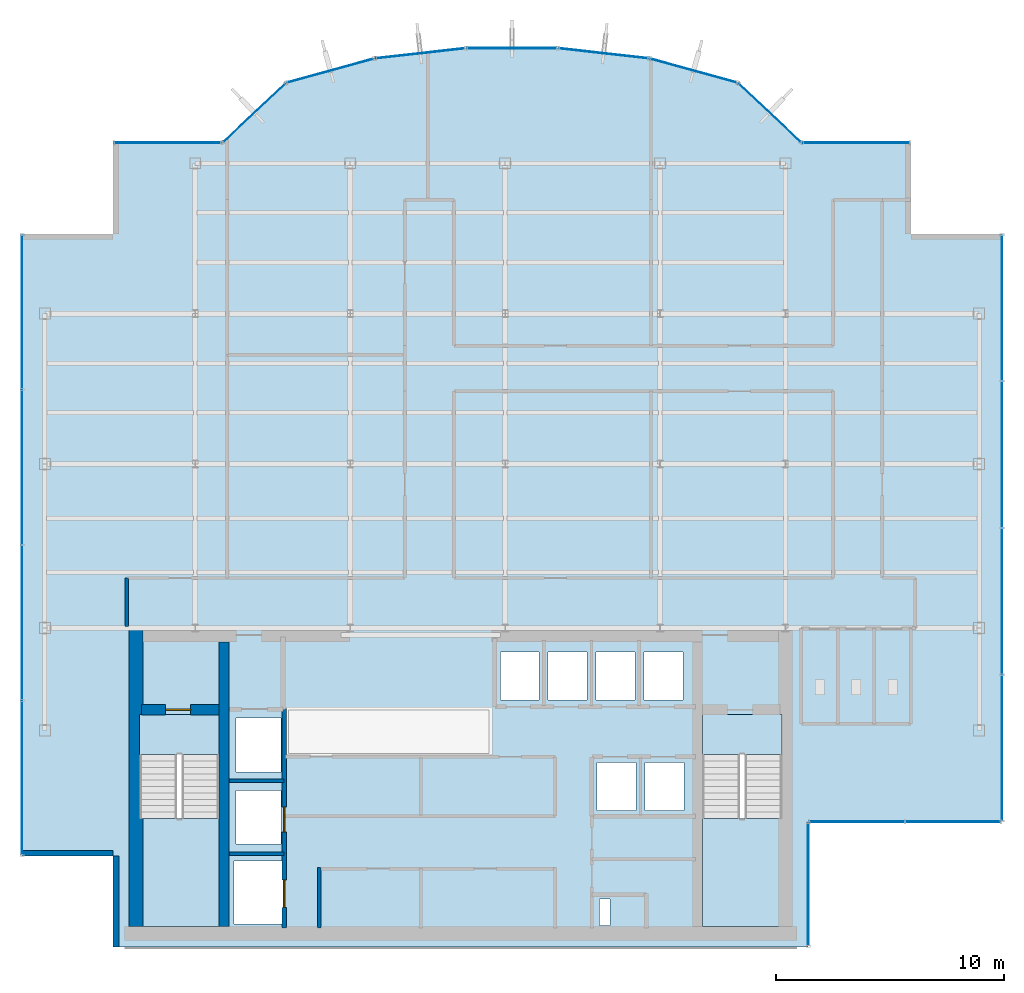
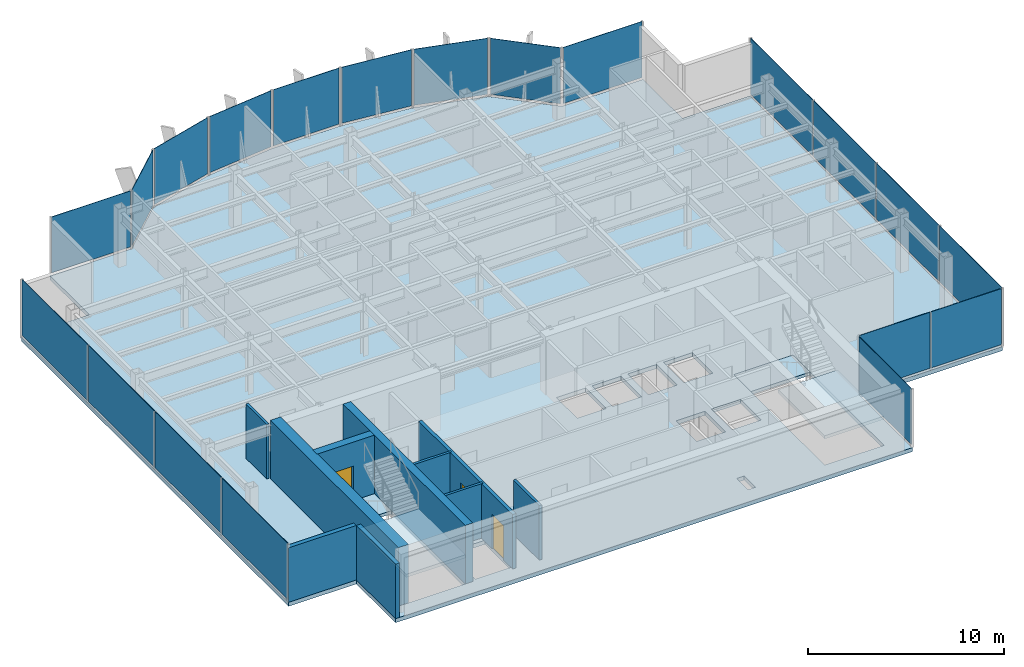
# One storey, part 16 of 22: 20 plates, 10 walls, 5 slabs, 3 doors, 3 openings, 15 elements without a shape of their own.
"""IFC4 building model written with IfcOpenShell, lengths in metres."""

from ifc_helpers import new_model, si_unit, derived_unit, direction, frame, frame_2d, origin, origin_2d, place, context, subcontext, project, spatial, polyline, rectangle, outline, extrude, source, transform, mapped, material, layer, layer_set, type_object, element, fill, aggregate, save


model = new_model("IFC4")

# Units and contexts
model_context = context("Model", 3, precision=1e-05, world=origin(), true_north=direction((0.0, 1.0)))
body_context = subcontext(model_context, "Body", "Model", "MODEL_VIEW")
ifc_project = project(units=[si_unit("LENGTHUNIT", "METRE"), si_unit("AREAUNIT", "SQUARE_METRE"), si_unit("VOLUMEUNIT", "CUBIC_METRE"), si_unit("PLANEANGLEUNIT", "RADIAN"), si_unit("MASSUNIT", "GRAM", prefix="KILO"), derived_unit("THERMALTRANSMITTANCEUNIT", [(si_unit("POWERUNIT", "WATT"), 1), (si_unit("LENGTHUNIT", "METRE"), -2), (si_unit("THERMODYNAMICTEMPERATUREUNIT", "KELVIN"), -1)])], contexts=[model_context])

# Site, building, storey
site_placement = place(None, origin())
site = spatial("IfcSite", under=ifc_project, at=site_placement, CompositionType="ELEMENT")
building_placement = place(site_placement, origin())
building = spatial("IfcBuilding", under=site, at=building_placement, Name="Skarnbrae Concourse Arena and Tower", CompositionType="ELEMENT")
storey_placement = place(building_placement, frame((0.0, 0.0, 280.699951171875)))
storey = spatial("IfcBuildingStorey", under=building, at=storey_placement, Name="L73", CompositionType="ELEMENT", Elevation=280.699951171875)

# Stair, slab
ifc_material_1 = material(Name="Concrete 40 MPa (C40/50)", Category="concrete")
stair_type = type_object("IfcStairType", Name="STAIR-DOGLEG-1650", PredefinedType="HALF_TURN_STAIR", material=ifc_material_1)
stair_1_placement = place(storey_placement, origin())
stair_1 = element("IfcStair", 1, at=stair_1_placement, inside=storey, type_object=stair_type, Name="L73 Protected Exit Stair ST-1", PredefinedType="HALF_TURN_STAIR")
ifc_layer_1 = layer(ifc_material_1, 0.199951171875)
ifc_layer_set_1 = layer_set([ifc_layer_1], Name="Concrete 40 MPa (C40/50)")
slab_type_1 = type_object("IfcSlabType", Name="SLAB-LANDING-200", PredefinedType="LANDING", material=ifc_layer_set_1)
slab_1_placement = place(storey_placement, frame((0.0, 0.0, 1.625)))
slab_1 = element("IfcSlab", 2, at=slab_1_placement, type_object=slab_type_1, Name="ST-1 landing 1", PredefinedType="LANDING", context=body_context, shape_type="SweptSolid", body=[
    extrude(outline(polyline([(5.14990234375, 5.64990234375), (5.14990234375, 0.89990234375), (8.64990234375, 0.89990234375), (8.64990234375, 5.64990234375), (5.14990234375, 5.64990234375)])), origin(), (0.0, 0.0, 1.0), 0.199951171875),
])
aggregate(stair_1, [slab_1])

stair_2_placement = place(storey_placement, origin())
stair_2 = element("IfcStair", 3, at=stair_2_placement, inside=storey, type_object=stair_type, Name="L73 Protected Exit Stair ST-2", PredefinedType="HALF_TURN_STAIR")
slab_2_placement = place(storey_placement, frame((0.0, 0.0, 1.625)))
slab_2 = element("IfcSlab", 4, at=slab_2_placement, type_object=slab_type_1, Name="ST-2 landing 1", PredefinedType="LANDING", context=body_context, shape_type="SweptSolid", body=[
    extrude(outline(polyline([(29.85009765625, 5.64990234375), (29.85009765625, 0.89990234375), (33.35009765625, 0.89990234375), (33.35009765625, 5.64990234375), (29.85009765625, 5.64990234375)])), origin(), (0.0, 0.0, 1.0), 0.199951171875),
])
aggregate(stair_2, [slab_2])

# Slabs
slab_3_placement = place(storey_placement, frame((0.0, 0.0, -0.199951171875)))
element("IfcSlab", 5, at=slab_3_placement, inside=storey, type_object=slab_type_1, Name="L73 Core stair ST1 floor landing", PredefinedType="LANDING", context=body_context, shape_type="SweptSolid", body=[
    extrude(outline(polyline([(5.14990234375, 10.199951171875), (5.14990234375, 8.449951171875), (8.64990234375, 8.449951171875), (8.64990234375, 10.199951171875), (5.14990234375, 10.199951171875)])), origin(), (0.0, 0.0, 1.0), 0.199951171875),
])
slab_4_placement = place(storey_placement, frame((0.0, 0.0, -0.199951171875)))
element("IfcSlab", 6, at=slab_4_placement, inside=storey, type_object=slab_type_1, Name="L73 Core stair ST2 floor landing", PredefinedType="LANDING", context=body_context, shape_type="SweptSolid", body=[
    extrude(outline(polyline([(29.85009765625, 10.199951171875), (29.85009765625, 8.449951171875), (33.35009765625, 8.449951171875), (33.35009765625, 10.199951171875), (29.85009765625, 10.199951171875)])), origin(), (0.0, 0.0, 1.0), 0.199951171875),
])
ifc_layer_2 = layer(ifc_material_1, 0.25)
ifc_layer_set_2 = layer_set([ifc_layer_2], Name="Concrete 40 MPa (C40/50)")
slab_type_2 = type_object("IfcSlabType", Name="SLAB-TOWER-250", PredefinedType="FLOOR", material=ifc_layer_set_2)
slab_5_placement = place(storey_placement, frame((0.0, 0.0, -0.25)))
element("IfcSlab", 7, at=slab_5_placement, inside=storey, type_object=slab_type_2, Name="L73 Structural floor slab", PredefinedType="FLOOR", context=body_context, shape_type="SweptSolid", body=[
    extrude(outline(polyline([(4.0, 0.0), (34.5, 0.0), (34.5, 5.5), (43.0, 5.5), (43.0, 31.300048828125), (39.0, 31.300048828125), (39.0, 35.300048828125), (34.199951171875, 35.300048828125), (31.40966796875, 37.9267578125), (27.52587890625, 38.9970703125), (23.51708984375, 39.44677734375), (19.48291015625, 39.44677734375), (15.47412109375, 38.9970703125), (11.59033203125, 37.9267578125), (8.800048828125, 35.300048828125), (4.0, 35.300048828125), (4.0, 31.300048828125), (0.0, 31.300048828125), (0.0, 4.0), (4.0, 4.0), (4.0, 0.0)]), holes=[polyline([(9.294921875, 1.02001953125), (9.294921875, 3.780029296875), (11.455078125, 3.780029296875), (11.455078125, 1.02001953125), (9.294921875, 1.02001953125)]), polyline([(8.64990234375, 10.199951171875), (8.64990234375, 0.89990234375), (5.14990234375, 0.89990234375), (5.14990234375, 10.199951171875), (8.64990234375, 10.199951171875)]), polyline([(9.39501953125, 6.8798828125), (11.35498046875, 6.8798828125), (11.35498046875, 4.52001953125), (9.39501953125, 4.52001953125), (9.39501953125, 6.8798828125)]), polyline([(9.39501953125, 7.695068359375), (9.39501953125, 10.054931640625), (11.35498046875, 10.054931640625), (11.35498046875, 7.695068359375), (9.39501953125, 7.695068359375)]), polyline([(20.985107421875, 12.955078125), (22.695068359375, 12.955078125), (22.695068359375, 10.844970703125), (20.985107421875, 10.844970703125), (20.985107421875, 12.955078125)]), polyline([(23.0849609375, 12.955078125), (24.794921875, 12.955078125), (24.794921875, 10.844970703125), (23.0849609375, 10.844970703125), (23.0849609375, 12.955078125)]), polyline([(25.35009765625, 0.949951171875), (25.35009765625, 2.110107421875), (25.800048828125, 2.110107421875), (25.800048828125, 0.949951171875), (25.35009765625, 0.949951171875)]), polyline([(33.35009765625, 10.199951171875), (33.35009765625, 0.89990234375), (29.85009765625, 0.89990234375), (29.85009765625, 10.199951171875), (33.35009765625, 10.199951171875)]), polyline([(25.235107421875, 8.10498046875), (26.945068359375, 8.10498046875), (26.945068359375, 5.9951171875), (25.235107421875, 5.9951171875), (25.235107421875, 8.10498046875)]), polyline([(27.3349609375, 5.9951171875), (27.3349609375, 8.10498046875), (29.044921875, 8.10498046875), (29.044921875, 5.9951171875), (27.3349609375, 5.9951171875)]), polyline([(25.18505859375, 12.955078125), (26.89501953125, 12.955078125), (26.89501953125, 10.844970703125), (25.18505859375, 10.844970703125), (25.18505859375, 12.955078125)]), polyline([(27.284912109375, 12.955078125), (28.9951171875, 12.955078125), (28.9951171875, 10.844970703125), (27.284912109375, 10.844970703125), (27.284912109375, 12.955078125)])]), origin(), (0.0, 0.0, 1.0), 0.25),
])

# Curtain wall, plate
ifc_material_2 = material(Name="Bronze anodised aluminium 6063-T6", Category="aluminium")
curtain_wall_type = type_object("IfcCurtainWallType", Name="CW-SYS-05-HIGHZONE", PredefinedType="USERDEFINED", material=ifc_material_2)
curtain_wall_1_placement = place(storey_placement, origin())
curtain_wall_1 = element("IfcCurtainWall", 8, at=curtain_wall_1_placement, inside=storey, type_object=curtain_wall_type, Name="L73 Unitised curtain wall CW-L73-E02", ObjectType="UNITISED CURTAIN WALL", PredefinedType="USERDEFINED")
ifc_material_3 = material(Name="Low-E triple insulating glass", Category="glass")
ifc_layer_3 = layer(ifc_material_3, 0.030029296875)
ifc_layer_set_3 = layer_set([ifc_layer_3], Name="Low-E triple insulating glass")
plate_type = type_object("IfcPlateType", Name="CWP-CW-05", PredefinedType="CURTAIN_PANEL", material=ifc_layer_set_3)
shared_shape_1 = source(origin(), body_context, "Body", "SweptSolid", [
    extrude(rectangle(XDim=5.35009765625, YDim=0.030029296875, at=origin_2d()), origin(), (0.0, 0.0, 1.0), 3.5),
])
plate_1_placement = place(storey_placement, frame((34.5, 2.75, 0.150146484375), z_axis=(0.0, 0.0, 1.0), x_axis=(0.0, 1.0, 0.0)))
plate_1 = element("IfcPlate", 9, at=plate_1_placement, type_object=plate_type, Name="CW-L73-E02 Low-E Glazing Panel 1", PredefinedType="CURTAIN_PANEL", context=body_context, shape_type="MappedRepresentation", body=[
    mapped(shared_shape_1, transform((0.0, 0.0, 0.0))),
])
aggregate(curtain_wall_1, [plate_1])

# Curtain wall, plates
curtain_wall_2_placement = place(storey_placement, origin())
curtain_wall_2 = element("IfcCurtainWall", 10, at=curtain_wall_2_placement, inside=storey, type_object=curtain_wall_type, Name="L73 Unitised curtain wall CW-L73-E03", ObjectType="UNITISED CURTAIN WALL", PredefinedType="USERDEFINED")
shared_shape_2 = source(origin(), body_context, "Body", "SweptSolid", [
    extrude(rectangle(XDim=4.137451171875, YDim=0.030029296875, at=origin_2d()), origin(), (0.0, 0.0, 1.0), 3.5),
])
plate_2_placement = place(storey_placement, frame((36.643798828125, 5.5, 0.150146484375), z_axis=(0.0, 0.0, 1.0), x_axis=(1.0, 0.0, 0.0)))
plate_2 = element("IfcPlate", 11, at=plate_2_placement, type_object=plate_type, Name="CW-L73-E03 Low-E Glazing Panel 1", PredefinedType="CURTAIN_PANEL", context=body_context, shape_type="MappedRepresentation", body=[
    mapped(shared_shape_2, transform((0.0, 0.0, 0.0))),
])
plate_3_placement = place(storey_placement, frame((40.856201171875, 5.5, 0.150146484375), z_axis=(0.0, 0.0, 1.0), x_axis=(1.0, 0.0, 0.0)))
plate_3 = element("IfcPlate", 12, at=plate_3_placement, type_object=plate_type, Name="CW-L73-E03 Low-E Glazing Panel 2", PredefinedType="CURTAIN_PANEL", context=body_context, shape_type="MappedRepresentation", body=[
    mapped(shared_shape_2, transform((0.0, 0.0, 0.0))),
])
aggregate(curtain_wall_2, [plate_2, plate_3])

# Curtain wall, plate
curtain_wall_3_placement = place(storey_placement, origin())
curtain_wall_3 = element("IfcCurtainWall", 13, at=curtain_wall_3_placement, inside=storey, type_object=curtain_wall_type, Name="L73 Unitised curtain wall CW-L73-E07", ObjectType="UNITISED CURTAIN WALL", PredefinedType="USERDEFINED")
shared_shape_3 = source(origin(), body_context, "Body", "SweptSolid", [
    extrude(rectangle(XDim=4.64990234375, YDim=0.030029296875, at=origin_2d()), origin(), (0.0, 0.0, 1.0), 3.5),
])
plate_4_placement = place(storey_placement, frame((36.60009765625, 35.300048828125, 0.150146484375), z_axis=(0.0, 0.0, 1.0), x_axis=(-1.0, 0.0, 0.0)))
plate_4 = element("IfcPlate", 14, at=plate_4_placement, type_object=plate_type, Name="CW-L73-E07 Low-E Glazing Panel 1", PredefinedType="CURTAIN_PANEL", context=body_context, shape_type="MappedRepresentation", body=[
    mapped(shared_shape_3, transform((0.0, 0.0, 0.0))),
])
aggregate(curtain_wall_3, [plate_4])

curtain_wall_4_placement = place(storey_placement, origin())
curtain_wall_4 = element("IfcCurtainWall", 15, at=curtain_wall_4_placement, inside=storey, type_object=curtain_wall_type, Name="L73 Unitised curtain wall CW-L73-E15", ObjectType="UNITISED CURTAIN WALL", PredefinedType="USERDEFINED")
plate_5_placement = place(storey_placement, frame((6.39990234375, 35.300048828125, 0.150146484375), z_axis=(0.0, 0.0, 1.0), x_axis=(-1.0, 0.0, 0.0)))
plate_5 = element("IfcPlate", 16, at=plate_5_placement, type_object=plate_type, Name="CW-L73-E15 Low-E Glazing Panel 1", PredefinedType="CURTAIN_PANEL", context=body_context, shape_type="MappedRepresentation", body=[
    mapped(shared_shape_3, transform((0.0, 0.0, 0.0))),
])
aggregate(curtain_wall_4, [plate_5])

curtain_wall_5_placement = place(storey_placement, origin())
curtain_wall_5 = element("IfcCurtainWall", 17, at=curtain_wall_5_placement, inside=storey, type_object=curtain_wall_type, Name="L73 Unitised curtain wall CW-L73-E08", ObjectType="UNITISED CURTAIN WALL", PredefinedType="USERDEFINED")
shared_shape_4 = source(origin(), body_context, "Body", "SweptSolid", [
    extrude(rectangle(XDim=3.68212890625, YDim=0.030029296875, at=origin_2d()), origin(), (0.0, 0.0, 1.0), 3.5),
])
plate_6_placement = place(storey_placement, frame((32.804931640625, 36.61328125, 0.150146484375), z_axis=(0.0, 0.0, 1.0), x_axis=(-0.728130555214, 0.685438468838, 0.0)))
plate_6 = element("IfcPlate", 18, at=plate_6_placement, type_object=plate_type, Name="CW-L73-E08 Low-E Glazing Panel 1", PredefinedType="CURTAIN_PANEL", context=body_context, shape_type="MappedRepresentation", body=[
    mapped(shared_shape_4, transform((0.0, 0.0, 0.0))),
])
aggregate(curtain_wall_5, [plate_6])

curtain_wall_6_placement = place(storey_placement, origin())
curtain_wall_6 = element("IfcCurtainWall", 19, at=curtain_wall_6_placement, inside=storey, type_object=curtain_wall_type, Name="L73 Unitised curtain wall CW-L73-E14", ObjectType="UNITISED CURTAIN WALL", PredefinedType="USERDEFINED")
plate_7_placement = place(storey_placement, frame((10.195068359375, 36.61328125, 0.150146484375), z_axis=(0.0, 0.0, 1.0), x_axis=(-0.728130555214, -0.685438468838, 0.0)))
plate_7 = element("IfcPlate", 20, at=plate_7_placement, type_object=plate_type, Name="CW-L73-E14 Low-E Glazing Panel 1", PredefinedType="CURTAIN_PANEL", context=body_context, shape_type="MappedRepresentation", body=[
    mapped(shared_shape_4, transform((0.0, 0.0, 0.0))),
])
aggregate(curtain_wall_6, [plate_7])

curtain_wall_7_placement = place(storey_placement, origin())
curtain_wall_7 = element("IfcCurtainWall", 21, at=curtain_wall_7_placement, inside=storey, type_object=curtain_wall_type, Name="L73 Unitised curtain wall CW-L73-E09", ObjectType="UNITISED CURTAIN WALL", PredefinedType="USERDEFINED")
shared_shape_5 = source(origin(), body_context, "Body", "SweptSolid", [
    extrude(rectangle(XDim=3.878662109375, YDim=0.030029296875, at=origin_2d()), origin(), (0.0, 0.0, 1.0), 3.5),
])
plate_8_placement = place(storey_placement, frame((29.4677734375, 38.4619140625, 0.150146484375), z_axis=(0.0, 0.0, 1.0), x_axis=(-0.964057388766, 0.265694093207, 0.0)))
plate_8 = element("IfcPlate", 22, at=plate_8_placement, type_object=plate_type, Name="CW-L73-E09 Low-E Glazing Panel 1", PredefinedType="CURTAIN_PANEL", context=body_context, shape_type="MappedRepresentation", body=[
    mapped(shared_shape_5, transform((0.0, 0.0, 0.0))),
])
aggregate(curtain_wall_7, [plate_8])

curtain_wall_8_placement = place(storey_placement, origin())
curtain_wall_8 = element("IfcCurtainWall", 23, at=curtain_wall_8_placement, inside=storey, type_object=curtain_wall_type, Name="L73 Unitised curtain wall CW-L73-E13", ObjectType="UNITISED CURTAIN WALL", PredefinedType="USERDEFINED")
plate_9_placement = place(storey_placement, frame((13.5322265625, 38.4619140625, 0.150146484375), z_axis=(0.0, 0.0, 1.0), x_axis=(-0.964057388766, -0.265694093207, 0.0)))
plate_9 = element("IfcPlate", 24, at=plate_9_placement, type_object=plate_type, Name="CW-L73-E13 Low-E Glazing Panel 1", PredefinedType="CURTAIN_PANEL", context=body_context, shape_type="MappedRepresentation", body=[
    mapped(shared_shape_5, transform((0.0, 0.0, 0.0))),
])
aggregate(curtain_wall_8, [plate_9])

curtain_wall_9_placement = place(storey_placement, origin())
curtain_wall_9 = element("IfcCurtainWall", 25, at=curtain_wall_9_placement, inside=storey, type_object=curtain_wall_type, Name="L73 Unitised curtain wall CW-L73-E10", ObjectType="UNITISED CURTAIN WALL", PredefinedType="USERDEFINED")
shared_shape_6 = source(origin(), body_context, "Body", "SweptSolid", [
    extrude(rectangle(XDim=3.8837890625, YDim=0.030029296875, at=origin_2d()), origin(), (0.0, 0.0, 1.0), 3.5),
])
plate_10_placement = place(storey_placement, frame((25.521484375, 39.221923828125, 0.150146484375), z_axis=(0.0, 0.0, 1.0), x_axis=(-0.993768891873, 0.111460259941, 0.0)))
plate_10 = element("IfcPlate", 26, at=plate_10_placement, type_object=plate_type, Name="CW-L73-E10 Low-E Glazing Panel 1", PredefinedType="CURTAIN_PANEL", context=body_context, shape_type="MappedRepresentation", body=[
    mapped(shared_shape_6, transform((0.0, 0.0, 0.0))),
])
aggregate(curtain_wall_9, [plate_10])

curtain_wall_10_placement = place(storey_placement, origin())
curtain_wall_10 = element("IfcCurtainWall", 27, at=curtain_wall_10_placement, inside=storey, type_object=curtain_wall_type, Name="L73 Unitised curtain wall CW-L73-E12", ObjectType="UNITISED CURTAIN WALL", PredefinedType="USERDEFINED")
plate_11_placement = place(storey_placement, frame((17.478515625, 39.221923828125, 0.150146484375), z_axis=(0.0, 0.0, 1.0), x_axis=(-0.993768891873, -0.111460259941, 0.0)))
plate_11 = element("IfcPlate", 28, at=plate_11_placement, type_object=plate_type, Name="CW-L73-E12 Low-E Glazing Panel 1", PredefinedType="CURTAIN_PANEL", context=body_context, shape_type="MappedRepresentation", body=[
    mapped(shared_shape_6, transform((0.0, 0.0, 0.0))),
])
aggregate(curtain_wall_10, [plate_11])

curtain_wall_11_placement = place(storey_placement, origin())
curtain_wall_11 = element("IfcCurtainWall", 29, at=curtain_wall_11_placement, inside=storey, type_object=curtain_wall_type, Name="L73 Unitised curtain wall CW-L73-E11", ObjectType="UNITISED CURTAIN WALL", PredefinedType="USERDEFINED")
shared_shape_7 = source(origin(), body_context, "Body", "SweptSolid", [
    extrude(rectangle(XDim=3.884521484375, YDim=0.030029296875, at=origin_2d()), origin(), (0.0, 0.0, 1.0), 3.5),
])
plate_12_placement = place(storey_placement, frame((21.5, 39.44677734375, 0.150146484375), z_axis=(0.0, 0.0, 1.0), x_axis=(-1.0, 0.0, 0.0)))
plate_12 = element("IfcPlate", 30, at=plate_12_placement, type_object=plate_type, Name="CW-L73-E11 Low-E Glazing Panel 1", PredefinedType="CURTAIN_PANEL", context=body_context, shape_type="MappedRepresentation", body=[
    mapped(shared_shape_7, transform((0.0, 0.0, 0.0))),
])
aggregate(curtain_wall_11, [plate_12])

# Curtain wall, plates
curtain_wall_12_placement = place(storey_placement, origin())
curtain_wall_12 = element("IfcCurtainWall", 31, at=curtain_wall_12_placement, inside=storey, type_object=curtain_wall_type, Name="L73 Unitised curtain wall CW-L73-E18", ObjectType="UNITISED CURTAIN WALL", PredefinedType="USERDEFINED")
shared_shape_8 = source(origin(), body_context, "Body", "SweptSolid", [
    extrude(rectangle(XDim=6.71240234375, YDim=0.030029296875, at=origin_2d()), origin(), (0.0, 0.0, 1.0), 3.5),
])
plate_13_placement = place(storey_placement, frame((0.0, 27.86865234375, 0.150146484375), z_axis=(0.0, 0.0, 1.0), x_axis=(0.0, -1.0, 0.0)))
plate_13 = element("IfcPlate", 32, at=plate_13_placement, type_object=plate_type, Name="CW-L73-E18 Low-E Glazing Panel 1", PredefinedType="CURTAIN_PANEL", context=body_context, shape_type="MappedRepresentation", body=[
    mapped(shared_shape_8, transform((0.0, 0.0, 0.0))),
])
plate_14_placement = place(storey_placement, frame((0.0, 7.431396484375, 0.150146484375), z_axis=(0.0, 0.0, 1.0), x_axis=(0.0, -1.0, 0.0)))
plate_14 = element("IfcPlate", 33, at=plate_14_placement, type_object=plate_type, Name="CW-L73-E18 Low-E Glazing Panel 4", PredefinedType="CURTAIN_PANEL", context=body_context, shape_type="MappedRepresentation", body=[
    mapped(shared_shape_8, transform((0.0, 0.0, 0.0))),
])
shared_shape_9 = source(origin(), body_context, "Body", "SweptSolid", [
    extrude(rectangle(XDim=6.75, YDim=0.030029296875, at=origin_2d()), origin(), (0.0, 0.0, 1.0), 3.5),
])
plate_15_placement = place(storey_placement, frame((0.0, 21.0625, 0.150146484375), z_axis=(0.0, 0.0, 1.0), x_axis=(0.0, -1.0, 0.0)))
plate_15 = element("IfcPlate", 34, at=plate_15_placement, type_object=plate_type, Name="CW-L73-E18 Low-E Glazing Panel 2", PredefinedType="CURTAIN_PANEL", context=body_context, shape_type="MappedRepresentation", body=[
    mapped(shared_shape_9, transform((0.0, 0.0, 0.0))),
])
plate_16_placement = place(storey_placement, frame((0.0, 14.237548828125, 0.150146484375), z_axis=(0.0, 0.0, 1.0), x_axis=(0.0, -1.0, 0.0)))
plate_16 = element("IfcPlate", 35, at=plate_16_placement, type_object=plate_type, Name="CW-L73-E18 Low-E Glazing Panel 3", PredefinedType="CURTAIN_PANEL", context=body_context, shape_type="MappedRepresentation", body=[
    mapped(shared_shape_9, transform((0.0, 0.0, 0.0))),
])
aggregate(curtain_wall_12, [plate_13, plate_15, plate_16, plate_14])

curtain_wall_13_placement = place(storey_placement, origin())
curtain_wall_13 = element("IfcCurtainWall", 36, at=curtain_wall_13_placement, inside=storey, type_object=curtain_wall_type, Name="L73 Unitised curtain wall CW-L73-E04", ObjectType="UNITISED CURTAIN WALL", PredefinedType="USERDEFINED")
shared_shape_10 = source(origin(), body_context, "Body", "SweptSolid", [
    extrude(rectangle(XDim=6.33740234375, YDim=0.030029296875, at=origin_2d()), origin(), (0.0, 0.0, 1.0), 3.5),
])
plate_17_placement = place(storey_placement, frame((43.0, 8.743896484375, 0.150146484375), z_axis=(0.0, 0.0, 1.0), x_axis=(0.0, 1.0, 0.0)))
plate_17 = element("IfcPlate", 37, at=plate_17_placement, type_object=plate_type, Name="CW-L73-E04 Low-E Glazing Panel 1", PredefinedType="CURTAIN_PANEL", context=body_context, shape_type="MappedRepresentation", body=[
    mapped(shared_shape_10, transform((0.0, 0.0, 0.0))),
])
plate_18_placement = place(storey_placement, frame((43.0, 28.05615234375, 0.150146484375), z_axis=(0.0, 0.0, 1.0), x_axis=(0.0, 1.0, 0.0)))
plate_18 = element("IfcPlate", 38, at=plate_18_placement, type_object=plate_type, Name="CW-L73-E04 Low-E Glazing Panel 4", PredefinedType="CURTAIN_PANEL", context=body_context, shape_type="MappedRepresentation", body=[
    mapped(shared_shape_10, transform((0.0, 0.0, 0.0))),
])
shared_shape_11 = source(origin(), body_context, "Body", "SweptSolid", [
    extrude(rectangle(XDim=6.375, YDim=0.030029296875, at=origin_2d()), origin(), (0.0, 0.0, 1.0), 3.5),
])
plate_19_placement = place(storey_placement, frame((43.0, 15.175048828125, 0.150146484375), z_axis=(0.0, 0.0, 1.0), x_axis=(0.0, 1.0, 0.0)))
plate_19 = element("IfcPlate", 39, at=plate_19_placement, type_object=plate_type, Name="CW-L73-E04 Low-E Glazing Panel 2", PredefinedType="CURTAIN_PANEL", context=body_context, shape_type="MappedRepresentation", body=[
    mapped(shared_shape_11, transform((0.0, 0.0, 0.0))),
])
plate_20_placement = place(storey_placement, frame((43.0, 21.625, 0.150146484375), z_axis=(0.0, 0.0, 1.0), x_axis=(0.0, 1.0, 0.0)))
plate_20 = element("IfcPlate", 40, at=plate_20_placement, type_object=plate_type, Name="CW-L73-E04 Low-E Glazing Panel 3", PredefinedType="CURTAIN_PANEL", context=body_context, shape_type="MappedRepresentation", body=[
    mapped(shared_shape_11, transform((0.0, 0.0, 0.0))),
])
aggregate(curtain_wall_13, [plate_17, plate_19, plate_20, plate_18])

# Wall, opening, door
ifc_material_4 = material(Name="Concrete 50 MPa (C50/60)", Category="concrete")
ifc_layer_4 = layer(ifc_material_4, 0.449951171875)
ifc_layer_set_4 = layer_set([ifc_layer_4], Name="Concrete 50 MPa (C50/60)")
wall_type_1 = type_object("IfcWallType", Name="WALL-CORE-450-C50", PredefinedType="SHEAR", material=ifc_layer_set_4)
shared_shape_12 = source(origin(), body_context, "Body", "SweptSolid", [
    extrude(rectangle(XDim=3.389892578125, YDim=0.449951171875, at=frame_2d((1.69482421875, 0.0))), origin(), (0.0, 0.0, 1.0), 3.650146484375),
])
wall_1_placement = place(storey_placement, frame((5.25, 10.419921875, 0.0), z_axis=(0.0, 0.0, 1.0), x_axis=(1.0, 0.0, 0.0)))
wall_1 = element("IfcWall", 41, at=wall_1_placement, inside=storey, type_object=wall_type_1, Name="L73 Rear core shear wall CW-ST1-N", PredefinedType="SHEAR", context=body_context, shape_type="MappedRepresentation", body=[
    mapped(shared_shape_12, transform((0.0, 0.0, 0.0))),
])
opening_1_placement = place(wall_1_placement, frame((1.050048828125, 0.0, 0.0)))
opening_1 = element("IfcOpeningElement", 42, at=opening_1_placement, cuts=wall_1, Name="Opening DT-03", PredefinedType="OPENING", context=body_context, shape_type="SweptSolid", body=[
    extrude(rectangle(XDim=1.10009765625, YDim=2.14990234375, at=frame_2d((0.550048828125, 1.074951171875))), frame((0.0, 0.23486328125, 0.0), z_axis=(0.0, -1.0, 0.0), x_axis=(1.0, 0.0, 0.0)), (0.0, 0.0, 1.0), 0.469970703125),
])
ifc_material_5 = material(Name="Steel CSA G40.21 350W", Category="steel")
door_type_1 = type_object("IfcDoorType", Name="DOOR-FIRE-1100-90M", OperationType="NOTDEFINED", PredefinedType="DOOR", material=ifc_material_5)
shared_shape_13 = source(origin(), body_context, "Body", "SweptSolid", [
    extrude(rectangle(XDim=1.10009765625, YDim=2.14990234375, at=frame_2d((0.550048828125, 1.074951171875))), frame((0.0, 0.02490234375, 0.0), z_axis=(0.0, -1.0, 0.0), x_axis=(1.0, 0.0, 0.0)), (0.0, 0.0, 1.0), 0.050048828125),
])
door_1_placement = place(opening_1_placement, frame((1.10009765625, 0.0, 0.0), z_axis=(0.0, 0.0, 1.0), x_axis=(-1.0, 0.0, 0.0)))
door_1 = element("IfcDoor", 43, at=door_1_placement, inside=storey, type_object=door_type_1, Name="D-2202 Stair ST-1 Door", OperationType="SINGLE_SWING_LEFT", OverallHeight=2.14990234375, OverallWidth=1.10009765625, PredefinedType="DOOR", context=body_context, shape_type="MappedRepresentation", body=[
    mapped(shared_shape_13, transform((0.0, 0.0, 0.0))),
])
fill(opening_1, door_1)

# Walls
ifc_layer_5 = layer(ifc_material_4, 0.60009765625)
ifc_layer_set_5 = layer_set([ifc_layer_5], Name="Concrete 50 MPa (C50/60)")
wall_type_2 = type_object("IfcWallType", Name="WALL-CORE-600-C50", PredefinedType="SHEAR", material=ifc_layer_set_5)
shared_shape_14 = source(origin(), body_context, "Body", "SweptSolid", [
    extrude(rectangle(XDim=13.10009765625, YDim=0.60009765625, at=frame_2d((6.550048828125, 0.0))), origin(), (0.0, 0.0, 1.0), 3.650146484375),
])
wall_2_placement = place(storey_placement, frame((5.0, 0.89990234375, 0.0), z_axis=(0.0, 0.0, 1.0), x_axis=(0.0, 1.0, 0.0)))
element("IfcWall", 44, at=wall_2_placement, inside=storey, type_object=wall_type_2, Name="L73 Rear core shear wall CW-W", PredefinedType="SHEAR", context=body_context, shape_type="MappedRepresentation", body=[
    mapped(shared_shape_14, transform((0.0, 0.0, 0.0))),
])
shared_shape_15 = source(origin(), body_context, "Body", "SweptSolid", [
    extrude(rectangle(XDim=12.5, YDim=0.449951171875, at=frame_2d((6.25, 0.0))), origin(), (0.0, 0.0, 1.0), 3.650146484375),
])
wall_3_placement = place(storey_placement, frame((8.864990234375, 0.89990234375, 0.0), z_axis=(0.0, 0.0, 1.0), x_axis=(0.0, 1.0, 0.0)))
element("IfcWall", 45, at=wall_3_placement, inside=storey, type_object=wall_type_1, Name="L73 Rear core shear wall CW-WEB-W", PredefinedType="SHEAR", context=body_context, shape_type="MappedRepresentation", body=[
    mapped(shared_shape_15, transform((0.0, 0.0, 0.0))),
])
ifc_material_6 = material(Name="Precast concrete 40 MPa (C40/50)", Category="concrete")
ifc_layer_6 = layer(ifc_material_6, 0.25)
ifc_layer_set_6 = layer_set([ifc_layer_6], Name="Precast concrete 40 MPa (C40/50)")
wall_type_3 = type_object("IfcWallType", Name="WALL-EXT-SPANDREL-250", PredefinedType="STANDARD", material=ifc_layer_set_6)
shared_shape_16 = source(origin(), body_context, "Body", "SweptSolid", [
    extrude(rectangle(XDim=4.0, YDim=0.25, at=frame_2d((2.0, 0.0))), origin(), (0.0, 0.0, 1.0), 3.400146484375),
])
for number, where, z_axis, x_axis, name in (
    (46, (0.0, 4.125, 0.0), (0.0, 0.0, 1.0), (1.0, 0.0, 0.0), "L73 Notched corner insulated return wall 19"),
    (47, (4.125, 4.0, 0.0), (0.0, 0.0, 1.0), (0.0, -1.0, 0.0), "L73 Notched corner insulated return wall 20"),
):
    element("IfcWall", number, at=place(storey_placement, frame(where, z_axis=z_axis, x_axis=x_axis)), inside=storey, type_object=wall_type_3, Name=name, PredefinedType="STANDARD", context=body_context, shape_type="MappedRepresentation", body=[
        mapped(shared_shape_16, transform((0.0, 0.0, 0.0))),
    ])

# Wall, openings, doors
ifc_material_7 = material(Name="Gypsum board on cold-formed steel studs", Category="steel")
ifc_layer_7 = layer(ifc_material_7, 0.199951171875)
ifc_layer_set_7 = layer_set([ifc_layer_7], Name="Gypsum board on cold-formed steel studs")
wall_type_4 = type_object("IfcWallType", Name="WALL-PART-200-2HR", PredefinedType="PARTITIONING", material=ifc_layer_set_7)
shared_shape_17 = source(origin(), body_context, "Body", "SweptSolid", [
    extrude(rectangle(XDim=9.599853515625, YDim=0.199951171875, at=frame_2d((4.7998046875, 0.0))), origin(), (0.0, 0.0, 1.0), 3.400146484375),
])
wall_4_placement = place(storey_placement, frame((11.5, 0.85009765625, 0.0), z_axis=(0.0, 0.0, 1.0), x_axis=(0.0, 1.0, 0.0)))
wall_4 = element("IfcWall", 48, at=wall_4_placement, inside=storey, type_object=wall_type_4, Name="L73 Interior partition wall W-L73-FL-E", PredefinedType="PARTITIONING", context=body_context, shape_type="MappedRepresentation", body=[
    mapped(shared_shape_17, transform((0.0, 0.0, 0.0))),
])
opening_2_placement = place(wall_4_placement, frame((4.199951171875, 0.0, 0.0)))
opening_2 = element("IfcOpeningElement", 49, at=opening_2_placement, cuts=wall_4, Name="Opening LD-01", PredefinedType="OPENING", context=body_context, shape_type="SweptSolid", body=[
    extrude(rectangle(XDim=1.10009765625, YDim=2.14990234375, at=frame_2d((0.550048828125, 1.074951171875))), frame((0.0, 0.10986328125, 0.0), z_axis=(0.0, -1.0, 0.0), x_axis=(1.0, 0.0, 0.0)), (0.0, 0.0, 1.0), 0.219970703125),
])
opening_3_placement = place(wall_4_placement, frame((0.89990234375, 0.0, 0.0)))
opening_3 = element("IfcOpeningElement", 50, at=opening_3_placement, cuts=wall_4, Name="Opening LD-02", PredefinedType="OPENING", context=body_context, shape_type="SweptSolid", body=[
    extrude(rectangle(XDim=1.199951171875, YDim=2.14990234375, at=frame_2d((0.60009765625, 1.074951171875))), frame((0.0, 0.10986328125, 0.0), z_axis=(0.0, -1.0, 0.0), x_axis=(1.0, 0.0, 0.0)), (0.0, 0.0, 1.0), 0.219970703125),
])
door_type_2 = type_object("IfcDoorType", Name="DOOR-LIFT-SLIDE-1100", OperationType="SLIDING_TO_LEFT", PredefinedType="DOOR", material=ifc_material_5)
door_2_placement = place(opening_2_placement, frame((1.10009765625, 0.0, 0.0), z_axis=(0.0, 0.0, 1.0), x_axis=(-1.0, 0.0, 0.0)))
door_2 = element("IfcDoor", 51, at=door_2_placement, inside=storey, type_object=door_type_2, Name="D-2207 Firefighting Lift Landing Door FL-02", OperationType="SLIDING_TO_LEFT", OverallHeight=2.14990234375, OverallWidth=1.10009765625, PredefinedType="DOOR", context=body_context, shape_type="MappedRepresentation", body=[
    mapped(shared_shape_13, transform((0.0, 0.0, 0.0))),
])
fill(opening_2, door_2)
door_type_3 = type_object("IfcDoorType", Name="DOOR-LIFT-SLIDE-1200", OperationType="SLIDING_TO_LEFT", PredefinedType="DOOR", material=ifc_material_5)
shared_shape_18 = source(origin(), body_context, "Body", "SweptSolid", [
    extrude(rectangle(XDim=1.199951171875, YDim=2.14990234375, at=frame_2d((0.60009765625, 1.074951171875))), frame((0.0, 0.02490234375, 0.0), z_axis=(0.0, -1.0, 0.0), x_axis=(1.0, 0.0, 0.0)), (0.0, 0.0, 1.0), 0.050048828125),
])
door_3_placement = place(opening_3_placement, frame((1.199951171875, 0.0, 0.0), z_axis=(0.0, 0.0, 1.0), x_axis=(-1.0, 0.0, 0.0)))
door_3 = element("IfcDoor", 52, at=door_3_placement, inside=storey, type_object=door_type_3, Name="D-2208 Service Lift Landing Door SV-01", OperationType="SLIDING_TO_LEFT", OverallHeight=2.14990234375, OverallWidth=1.199951171875, PredefinedType="DOOR", context=body_context, shape_type="MappedRepresentation", body=[
    mapped(shared_shape_18, transform((0.0, 0.0, 0.0))),
])
fill(opening_3, door_3)

# Walls
ifc_layer_8 = layer(ifc_material_7, 0.14990234375)
ifc_layer_set_8 = layer_set([ifc_layer_8], Name="Gypsum board on cold-formed steel studs")
wall_type_5 = type_object("IfcWallType", Name="WALL-PART-150", PredefinedType="PARTITIONING", material=ifc_layer_set_8)
shared_shape_19 = source(origin(), body_context, "Body", "SweptSolid", [
    extrude(rectangle(XDim=2.39990234375, YDim=0.14990234375, at=frame_2d((1.199951171875, 0.0))), origin(), (0.0, 0.0, 1.0), 3.400146484375),
])
for number, where, z_axis, x_axis, name in (
    (53, (9.10009765625, 4.10009765625, 0.0), (0.0, 0.0, 1.0), (1.0, 0.0, 0.0), "L73 Interior partition wall W-L73-FL-D1"),
    (54, (9.10009765625, 7.300048828125, 0.0), (0.0, 0.0, 1.0), (1.0, 0.0, 0.0), "L73 Interior partition wall W-L73-FL-D2"),
):
    element("IfcWall", number, at=place(storey_placement, frame(where, z_axis=z_axis, x_axis=x_axis)), inside=storey, type_object=wall_type_5, Name=name, PredefinedType="PARTITIONING", context=body_context, shape_type="MappedRepresentation", body=[
        mapped(shared_shape_19, transform((0.0, 0.0, 0.0))),
    ])
ifc_layer_9 = layer(ifc_material_7, 0.14990234375)
ifc_layer_set_9 = layer_set([ifc_layer_9], Name="Gypsum board on cold-formed steel studs")
wall_type_6 = type_object("IfcWallType", Name="WALL-PART-150-1HR", PredefinedType="PARTITIONING", material=ifc_layer_set_9)
shared_shape_20 = source(origin(), body_context, "Body", "SweptSolid", [
    extrude(rectangle(XDim=2.64990234375, YDim=0.14990234375, at=frame_2d((1.324951171875, 0.0))), origin(), (0.0, 0.0, 1.0), 3.400146484375),
])
wall_5_placement = place(storey_placement, frame((13.050048828125, 0.85009765625, 0.0), z_axis=(0.0, 0.0, 1.0), x_axis=(0.0, 1.0, 0.0)))
element("IfcWall", 55, at=wall_5_placement, inside=storey, type_object=wall_type_6, Name="L73 Interior partition wall W-L73-B1M-W", PredefinedType="PARTITIONING", context=body_context, shape_type="MappedRepresentation", body=[
    mapped(shared_shape_20, transform((0.0, 0.0, 0.0))),
])
shared_shape_21 = source(origin(), body_context, "Body", "SweptSolid", [
    extrude(rectangle(XDim=2.119873046875, YDim=0.14990234375, at=frame_2d((1.06005859375, 0.0))), origin(), (0.0, 0.0, 1.0), 3.400146484375),
])
wall_6_placement = place(storey_placement, frame((4.60009765625, 14.080078125, 0.0), z_axis=(0.0, 0.0, 1.0), x_axis=(0.0, 1.0, 0.0)))
element("IfcWall", 56, at=wall_6_placement, inside=storey, type_object=wall_type_6, Name="L73 Interior partition wall W-L73-COR-01", PredefinedType="PARTITIONING", context=body_context, shape_type="MappedRepresentation", body=[
    mapped(shared_shape_21, transform((0.0, 0.0, 0.0))),
])

save(model, "model.ifc")
